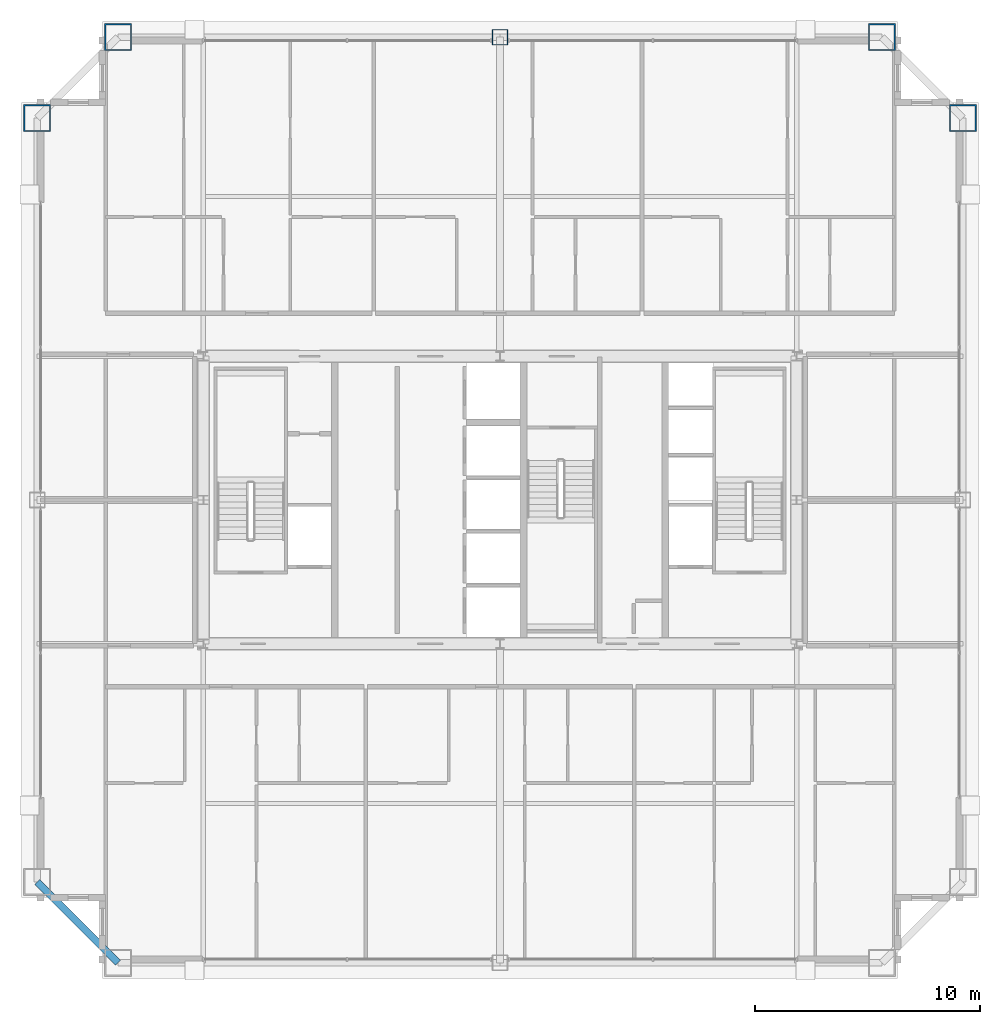
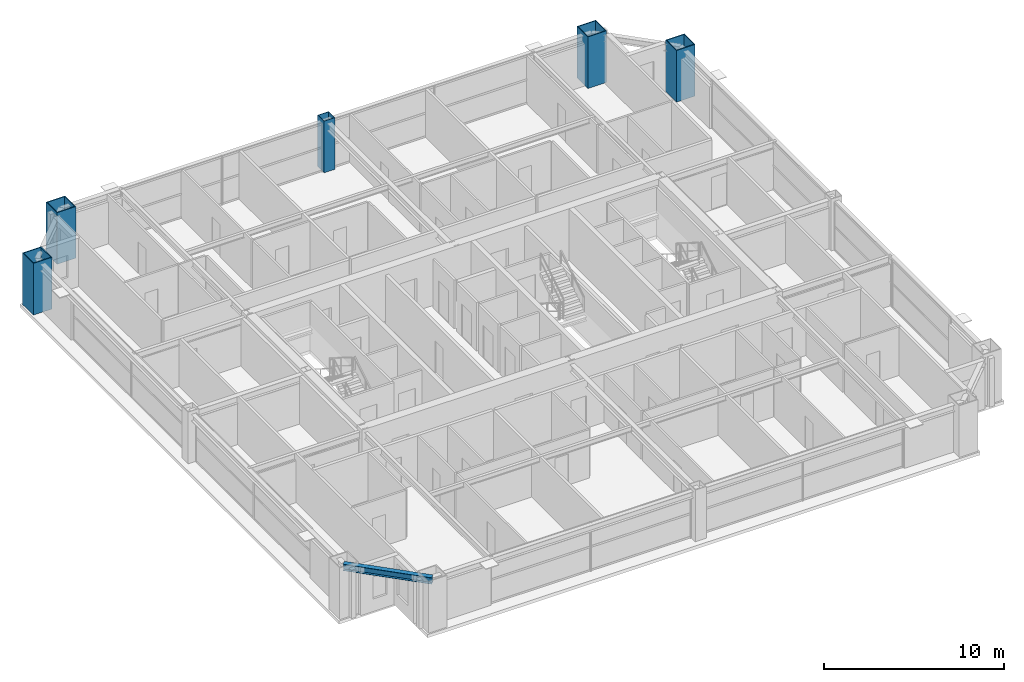
# One storey, part 2 of 37: 5 columns, 1 beam.
"""IFC4 building model written with IfcOpenShell, lengths in metres."""

from ifc_helpers import new_model, si_unit, direction, frame, origin, origin_2d, place, context, subcontext, project, spatial, hollow_rectangle, i_section, extrude, source, transform, mapped, material, material_profile, profile_set, type_object, element, save


model = new_model("IFC4")

# Units and contexts
model_context = context("Model", 3, precision=1e-05, world=origin(), true_north=direction((0.0, 1.0)))
body_context = subcontext(model_context, "Body", "Model", "MODEL_VIEW")
ifc_project = project(units=[si_unit("LENGTHUNIT", "METRE"), si_unit("AREAUNIT", "SQUARE_METRE"), si_unit("VOLUMEUNIT", "CUBIC_METRE"), si_unit("PLANEANGLEUNIT", "RADIAN"), si_unit("MASSUNIT", "GRAM", prefix="KILO"), si_unit("THERMODYNAMICTEMPERATUREUNIT", "KELVIN"), si_unit("POWERUNIT", "WATT")], contexts=[model_context])

# Site, building, storey
site_placement = place(None, origin())
site = spatial("IfcSite", under=ifc_project, at=site_placement, CompositionType="ELEMENT")
building_placement = place(site_placement, origin())
building = spatial("IfcBuilding", under=site, at=building_placement, Name="Yuzanri Waterfront Tower", CompositionType="ELEMENT")
storey_placement = place(building_placement, frame((0.0, 0.0, 245.10009765625)))
storey = spatial("IfcBuildingStorey", under=building, at=storey_placement, Name="L65", CompositionType="ELEMENT", Elevation=245.10009765625)

# Columns
ifc_material_1 = material(Name="Steel Q390GJC", Category="steel")
ifc_material_profile_1 = material_profile(ifc_material_1, hollow_rectangle(XDim=1.199951171875, YDim=1.199951171875, WallThickness=0.054931640625, at=origin_2d()), Name="RHS 1200x1200x55")
ifc_profile_set_1 = profile_set([ifc_material_profile_1], Name="Steel Q390GJC")
column_type_1 = type_object("IfcColumnType", Name="Mega Column Q390GJC RHS 1200x1200x55", PredefinedType="COLUMN", material=ifc_profile_set_1)
shared_shape_1 = source(origin(), body_context, "Body", "SweptSolid", [
    extrude(hollow_rectangle(XDim=1.199951171875, YDim=1.199951171875, WallThickness=0.054931640625, at=origin_2d()), origin(), (0.0, 0.0, 1.0), 3.5),
])
for number, where, z_axis, x_axis, name in (
    (1, (20.0, 46.39990234375, 0.0), (0.0, 0.0, 1.0), (1.0, 0.0, 0.0), "L65 Perimeter Mega Column N1"),
    (2, (54.0, 46.39990234375, 0.0), (0.0, 0.0, 1.0), (1.0, 0.0, 0.0), "L65 Perimeter Mega Column N3"),
    (3, (16.39990234375, 42.800048828125, 0.0), (0.0, 0.0, 1.0), (1.0, 0.0, 0.0), "L65 Perimeter Mega Column W3"),
    (4, (57.60009765625, 42.800048828125, 0.0), (0.0, 0.0, 1.0), (1.0, 0.0, 0.0), "L65 Perimeter Mega Column E3"),
):
    element("IfcColumn", number, at=place(storey_placement, frame(where, z_axis=z_axis, x_axis=x_axis)), inside=storey, type_object=column_type_1, Name=name, PredefinedType="COLUMN", context=body_context, shape_type="MappedRepresentation", body=[
        mapped(shared_shape_1, transform((0.0, 0.0, 0.0), scale=1.0)),
    ])
ifc_material_2 = material(Name="Steel Q355B", Category="steel")
ifc_material_profile_2 = material_profile(ifc_material_2, hollow_rectangle(XDim=0.699951171875, YDim=0.699951171875, WallThickness=0.031982421875, at=origin_2d()), Name="RHS 700x700x32")
ifc_profile_set_2 = profile_set([ifc_material_profile_2], Name="Steel Q355B")
column_type_2 = type_object("IfcColumnType", Name="Frame Column Q355B RHS 700x700x32", PredefinedType="COLUMN", material=ifc_profile_set_2)
shared_shape_2 = source(origin(), body_context, "Body", "SweptSolid", [
    extrude(hollow_rectangle(XDim=0.699951171875, YDim=0.699951171875, WallThickness=0.031982421875, at=origin_2d()), origin(), (0.0, 0.0, 1.0), 3.5),
])
column_placement = place(storey_placement, frame((37.0, 46.39990234375, 0.0), z_axis=(0.0, 0.0, 1.0), x_axis=(1.0, 0.0, 0.0)))
element("IfcColumn", 5, at=column_placement, inside=storey, type_object=column_type_2, Name="L65 Perimeter Frame Column N2", PredefinedType="COLUMN", context=body_context, shape_type="MappedRepresentation", body=[
    mapped(shared_shape_2, transform((0.0, 0.0, 0.0), scale=1.0)),
])

# Beam
ifc_material_3 = material(Name="Steel Q355B", Category="steel")
ifc_material_profile_3 = material_profile(ifc_material_3, i_section(OverallWidth=0.300048828125, OverallDepth=0.43994140625, WebThickness=0.010986328125, FlangeThickness=0.01806640625, at=origin_2d()), Name="HM 440x300x11x18")
ifc_profile_set_3 = profile_set([ifc_material_profile_3], Name="Steel Q355B")
beam_type = type_object("IfcBeamType", Name="Perimeter Spandrel Q355B HM 440x300", PredefinedType="SPANDREL", material=ifc_profile_set_3)
shared_shape_3 = source(origin(), body_context, "Body", "SweptSolid", [
    extrude(i_section(OverallWidth=0.300048828125, OverallDepth=0.43994140625, WebThickness=0.010986328125, FlangeThickness=0.01806640625, at=origin_2d()), origin(), (0.0, 0.0, 1.0), 5.09130859375),
])
beam_placement = place(storey_placement, frame((16.39990234375, 8.800048828125, 3.059814453125), z_axis=(0.707106781187, -0.707106781187, 0.0), x_axis=(0.707106781187, 0.707106781187, 0.0)))
element("IfcBeam", 6, at=beam_placement, inside=storey, type_object=beam_type, Name="L65 Perimeter Spandrel W1-S1", PredefinedType="SPANDREL", context=body_context, shape_type="MappedRepresentation", body=[
    mapped(shared_shape_3, transform((0.0, 0.0, 0.0), scale=1.0)),
])

save(model, "model.ifc")
